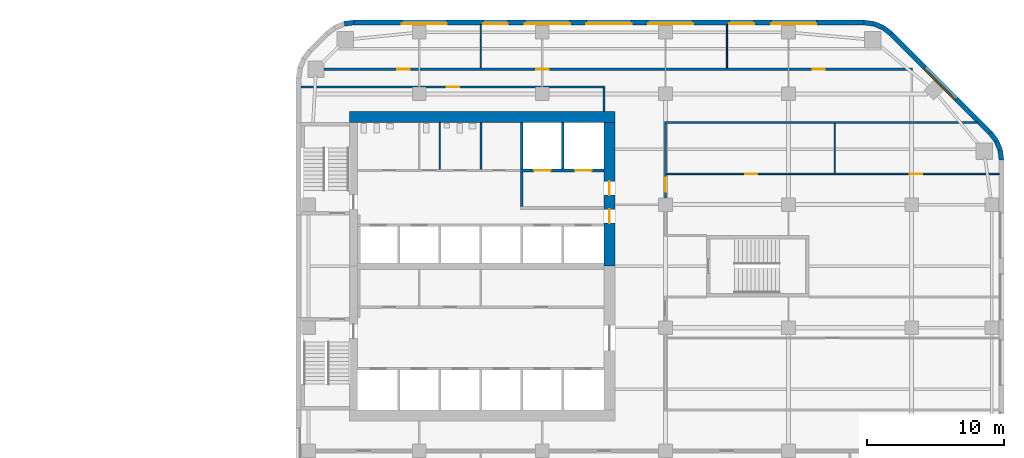
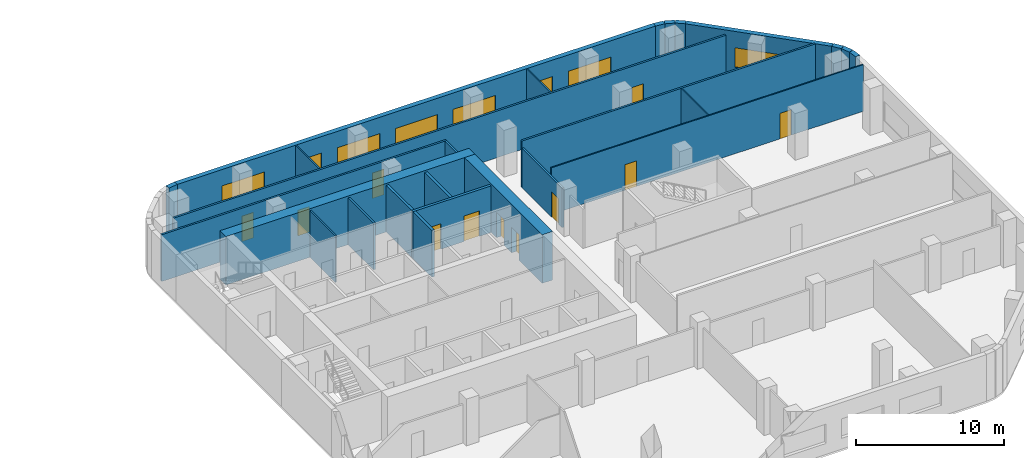
# One storey, part 10 of 14: 26 walls, 11 doors, 8 windows, 19 openings.
"""IFC4 building model written with IfcOpenShell, lengths in metres."""

from ifc_helpers import new_model, si_unit, direction, frame, frame_2d, origin, place, context, subcontext, project, spatial, rectangle, extrude, material, layer, layer_set, type_object, element, fill, save


model = new_model("IFC4")

# Units and contexts
model_context = context("Model", 3, precision=1e-05, world=origin(), true_north=direction((0.0, 1.0)))
body_context = subcontext(model_context, "Body", "Model", "MODEL_VIEW")
ifc_project = project(units=[si_unit("LENGTHUNIT", "METRE"), si_unit("AREAUNIT", "SQUARE_METRE"), si_unit("VOLUMEUNIT", "CUBIC_METRE"), si_unit("PLANEANGLEUNIT", "RADIAN"), si_unit("MASSUNIT", "GRAM", prefix="KILO")], contexts=[model_context])

# Site, building, storey
site_placement = place(None, origin())
site = spatial("IfcSite", under=ifc_project, at=site_placement, CompositionType="ELEMENT")
building_placement = place(site_placement, origin())
building = spatial("IfcBuilding", under=site, at=building_placement, Name="Cinnabar Reach Civic Tower", CompositionType="ELEMENT")
storey_placement = place(building_placement, frame((0.0, 0.0, 108.0)))
storey = spatial("IfcBuildingStorey", under=building, at=storey_placement, Name="L25", CompositionType="ELEMENT", Elevation=108.0)

# Walls
ifc_material_1 = material(Name="Facing brick with insulated backing", Category="masonry")
ifc_layer_1 = layer(ifc_material_1, 0.36)
ifc_layer_set_1 = layer_set([ifc_layer_1], Name="Brick corner wall")
wall_type_1 = type_object("IfcWallType", Name="Brick corner wall", PredefinedType="STANDARD", material=ifc_layer_set_1)
for number, where, z_axis, x_axis, name in (
    (1, (51.567, 39.2686, 0.0), (0.0, 0.0, 1.0), (-0.13055608231, 0.99144092581, 0.0), "Brick corner wall"),
    (2, (51.4681, 39.9973, 0.0), (0.0, 0.0, 1.0), (-0.382702709855, 0.923871547278, 0.0), "Brick corner wall"),
):
    element("IfcWall", number, at=place(storey_placement, frame(where, z_axis=z_axis, x_axis=x_axis)), inside=storey, type_object=wall_type_1, Name=name, PredefinedType="STANDARD", context=body_context, shape_type="SweptSolid", body=[
        extrude(rectangle(XDim=0.7131, YDim=0.36, at=frame_2d((0.3565, 0.0))), origin(), (0.0, 0.0, 1.0), 3.85),
    ])
for number, where, z_axis, x_axis, name in (
    (3, (51.184, 40.6755, 0.0), (0.0, 0.0, 1.0), (-0.608802368033, 0.793321924995, 0.0), "Brick corner wall"),
    (4, (43.4913, 48.4998, 0.0), (0.0, 0.0, 1.0), (-0.793321924995, 0.608802368033, 0.0), "Brick corner wall"),
):
    element("IfcWall", number, at=place(storey_placement, frame(where, z_axis=z_axis, x_axis=x_axis)), inside=storey, type_object=wall_type_1, Name=name, PredefinedType="STANDARD", context=body_context, shape_type="SweptSolid", body=[
        extrude(rectangle(XDim=0.7132, YDim=0.36, at=frame_2d((0.3566, 0.0))), origin(), (0.0, 0.0, 1.0), 3.85),
    ])
for number, where, z_axis, x_axis, name in (
    (5, (42.9061, 48.9452, 0.0), (0.0, 0.0, 1.0), (-0.923871547278, 0.382702709855, 0.0), "Brick corner wall"),
    (6, (42.2256, 49.2239, 0.0), (0.0, 0.0, 1.0), (-0.99144092581, 0.13055608231, 0.0), "Brick corner wall"),
    (7, (4.2314, 49.317, 0.0), (0.0, 0.0, 1.0), (-0.99144092581, -0.13055608231, 0.0), "Brick corner wall"),
):
    element("IfcWall", number, at=place(storey_placement, frame(where, z_axis=z_axis, x_axis=x_axis)), inside=storey, type_object=wall_type_1, Name=name, PredefinedType="STANDARD", context=body_context, shape_type="SweptSolid", body=[
        extrude(rectangle(XDim=0.7131, YDim=0.36, at=frame_2d((0.3565, 0.0))), origin(), (0.0, 0.0, 1.0), 3.85),
    ])

# Wall, opening, window
ifc_layer_2 = layer(ifc_material_1, 0.36)
ifc_layer_set_2 = layer_set([ifc_layer_2], Name="Brick pier and spandrel wall")
wall_type_2 = type_object("IfcWallType", Name="Brick pier and spandrel wall", PredefinedType="STANDARD", material=ifc_layer_set_2)
wall_1_placement = place(storey_placement, frame((50.744, 41.2514, 0.0), z_axis=(0.0, 0.0, 1.0), x_axis=(-0.707106781187, 0.707106781187, 0.0)))
wall_1 = element("IfcWall", 8, at=wall_1_placement, inside=storey, type_object=wall_type_2, Name="Brick facade wall", PredefinedType="STANDARD", context=body_context, shape_type="SweptSolid", body=[
    extrude(rectangle(XDim=10.2426, YDim=0.36, at=frame_2d((5.1213, 0.0))), origin(), (0.0, 0.0, 1.0), 3.85),
])
opening_1_placement = place(wall_1_placement, frame((3.4713, 0.0, 0.9)))
opening_1 = element("IfcOpeningElement", 9, at=opening_1_placement, cuts=wall_1, Name="Opening W1535", PredefinedType="OPENING", context=body_context, shape_type="SweptSolid", body=[
    extrude(rectangle(XDim=3.3, YDim=1.6, at=frame_2d((1.65, 0.8))), frame((0.0, 0.19, 0.0), z_axis=(0.0, -1.0, 0.0), x_axis=(1.0, 0.0, 0.0)), (0.0, 0.0, 1.0), 0.38),
])
ifc_material_2 = material(Name="Clear double glazing in aluminium frame", Category="aluminium")
window_type_1 = type_object("IfcWindowType", Name="Deep-set window A", PartitioningType="SINGLE_PANEL", PredefinedType="WINDOW", material=ifc_material_2)
window_1_placement = place(opening_1_placement, origin())
window_1 = element("IfcWindow", 10, at=window_1_placement, inside=storey, type_object=window_type_1, Name="Window northeast face", OverallHeight=1.6, OverallWidth=3.3, PartitioningType="SINGLE_PANEL", PredefinedType="WINDOW", context=body_context, shape_type="SweptSolid", body=[
    extrude(rectangle(XDim=3.3, YDim=1.6, at=frame_2d((1.65, 0.8))), frame((0.0, 0.13, 0.0), z_axis=(0.0, -1.0, 0.0), x_axis=(1.0, 0.0, 0.0)), (0.0, 0.0, 1.0), 0.06),
])
fill(opening_1, window_1)

# Wall, openings, windows
wall_2_placement = place(storey_placement, frame((41.5074, 49.32, 0.0), z_axis=(0.0, 0.0, 1.0), x_axis=(-1.0, 0.0, 0.0)))
wall_2 = element("IfcWall", 11, at=wall_2_placement, inside=storey, type_object=wall_type_2, Name="Brick facade wall", PredefinedType="STANDARD", context=body_context, shape_type="SweptSolid", body=[
    extrude(rectangle(XDim=37.2648, YDim=0.36, at=frame_2d((18.6324, 0.0))), origin(), (0.0, 0.0, 1.0), 3.85),
])
opening_2_placement = place(wall_2_placement, frame((3.4824, 0.0, 0.9)))
opening_2 = element("IfcOpeningElement", 12, at=opening_2_placement, cuts=wall_2, Name="Opening W1536", PredefinedType="OPENING", context=body_context, shape_type="SweptSolid", body=[
    extrude(rectangle(XDim=3.3, YDim=1.6, at=frame_2d((1.65, 0.8))), frame((0.0, 0.19, 0.0), z_axis=(0.0, -1.0, 0.0), x_axis=(1.0, 0.0, 0.0)), (0.0, 0.0, 1.0), 0.38),
])
opening_3_placement = place(wall_2_placement, frame((8.0324, 0.0, 0.9)))
opening_3 = element("IfcOpeningElement", 13, at=opening_3_placement, cuts=wall_2, Name="Opening W1537", PredefinedType="OPENING", context=body_context, shape_type="SweptSolid", body=[
    extrude(rectangle(XDim=1.8, YDim=1.6, at=frame_2d((0.9, 0.8))), frame((0.0, 0.19, 0.0), z_axis=(0.0, -1.0, 0.0), x_axis=(1.0, 0.0, 0.0)), (0.0, 0.0, 1.0), 0.38),
])
opening_4_placement = place(wall_2_placement, frame((12.4824, 0.0, 0.9)))
opening_4 = element("IfcOpeningElement", 14, at=opening_4_placement, cuts=wall_2, Name="Opening W1538", PredefinedType="OPENING", context=body_context, shape_type="SweptSolid", body=[
    extrude(rectangle(XDim=3.3, YDim=1.6, at=frame_2d((1.65, 0.8))), frame((0.0, 0.19, 0.0), z_axis=(0.0, -1.0, 0.0), x_axis=(1.0, 0.0, 0.0)), (0.0, 0.0, 1.0), 0.38),
])
opening_5_placement = place(wall_2_placement, frame((16.9824, 0.0, 0.9)))
opening_5 = element("IfcOpeningElement", 15, at=opening_5_placement, cuts=wall_2, Name="Opening W1539", PredefinedType="OPENING", context=body_context, shape_type="SweptSolid", body=[
    extrude(rectangle(XDim=3.3, YDim=1.6, at=frame_2d((1.65, 0.8))), frame((0.0, 0.19, 0.0), z_axis=(0.0, -1.0, 0.0), x_axis=(1.0, 0.0, 0.0)), (0.0, 0.0, 1.0), 0.38),
])
opening_6_placement = place(wall_2_placement, frame((21.4824, 0.0, 0.9)))
opening_6 = element("IfcOpeningElement", 16, at=opening_6_placement, cuts=wall_2, Name="Opening W1540", PredefinedType="OPENING", context=body_context, shape_type="SweptSolid", body=[
    extrude(rectangle(XDim=3.3, YDim=1.6, at=frame_2d((1.65, 0.8))), frame((0.0, 0.19, 0.0), z_axis=(0.0, -1.0, 0.0), x_axis=(1.0, 0.0, 0.0)), (0.0, 0.0, 1.0), 0.38),
])
opening_7_placement = place(wall_2_placement, frame((26.0324, 0.0, 0.9)))
opening_7 = element("IfcOpeningElement", 17, at=opening_7_placement, cuts=wall_2, Name="Opening W1541", PredefinedType="OPENING", context=body_context, shape_type="SweptSolid", body=[
    extrude(rectangle(XDim=1.8, YDim=1.6, at=frame_2d((0.9, 0.8))), frame((0.0, 0.19, 0.0), z_axis=(0.0, -1.0, 0.0), x_axis=(1.0, 0.0, 0.0)), (0.0, 0.0, 1.0), 0.38),
])
opening_8_placement = place(wall_2_placement, frame((30.4824, 0.0, 0.9)))
opening_8 = element("IfcOpeningElement", 18, at=opening_8_placement, cuts=wall_2, Name="Opening W1542", PredefinedType="OPENING", context=body_context, shape_type="SweptSolid", body=[
    extrude(rectangle(XDim=3.3, YDim=1.6, at=frame_2d((1.65, 0.8))), frame((0.0, 0.19, 0.0), z_axis=(0.0, -1.0, 0.0), x_axis=(1.0, 0.0, 0.0)), (0.0, 0.0, 1.0), 0.38),
])
window_2_placement = place(opening_2_placement, origin())
window_2 = element("IfcWindow", 19, at=window_2_placement, inside=storey, type_object=window_type_1, Name="Window north face", OverallHeight=1.6, OverallWidth=3.3, PartitioningType="SINGLE_PANEL", PredefinedType="WINDOW", context=body_context, shape_type="SweptSolid", body=[
    extrude(rectangle(XDim=3.3, YDim=1.6, at=frame_2d((1.65, 0.8))), frame((0.0, 0.13, 0.0), z_axis=(0.0, -1.0, 0.0), x_axis=(1.0, 0.0, 0.0)), (0.0, 0.0, 1.0), 0.06),
])
fill(opening_2, window_2)
window_3_placement = place(opening_4_placement, origin())
window_3 = element("IfcWindow", 20, at=window_3_placement, inside=storey, type_object=window_type_1, Name="Window north face", OverallHeight=1.6, OverallWidth=3.3, PartitioningType="SINGLE_PANEL", PredefinedType="WINDOW", context=body_context, shape_type="SweptSolid", body=[
    extrude(rectangle(XDim=3.3, YDim=1.6, at=frame_2d((1.65, 0.8))), frame((0.0, 0.13, 0.0), z_axis=(0.0, -1.0, 0.0), x_axis=(1.0, 0.0, 0.0)), (0.0, 0.0, 1.0), 0.06),
])
fill(opening_4, window_3)
window_4_placement = place(opening_5_placement, origin())
window_4 = element("IfcWindow", 21, at=window_4_placement, inside=storey, type_object=window_type_1, Name="Window north face", OverallHeight=1.6, OverallWidth=3.3, PartitioningType="SINGLE_PANEL", PredefinedType="WINDOW", context=body_context, shape_type="SweptSolid", body=[
    extrude(rectangle(XDim=3.3, YDim=1.6, at=frame_2d((1.65, 0.8))), frame((0.0, 0.13, 0.0), z_axis=(0.0, -1.0, 0.0), x_axis=(1.0, 0.0, 0.0)), (0.0, 0.0, 1.0), 0.06),
])
fill(opening_5, window_4)
window_5_placement = place(opening_6_placement, origin())
window_5 = element("IfcWindow", 22, at=window_5_placement, inside=storey, type_object=window_type_1, Name="Window north face", OverallHeight=1.6, OverallWidth=3.3, PartitioningType="SINGLE_PANEL", PredefinedType="WINDOW", context=body_context, shape_type="SweptSolid", body=[
    extrude(rectangle(XDim=3.3, YDim=1.6, at=frame_2d((1.65, 0.8))), frame((0.0, 0.13, 0.0), z_axis=(0.0, -1.0, 0.0), x_axis=(1.0, 0.0, 0.0)), (0.0, 0.0, 1.0), 0.06),
])
fill(opening_6, window_5)
window_6_placement = place(opening_8_placement, origin())
window_6 = element("IfcWindow", 23, at=window_6_placement, inside=storey, type_object=window_type_1, Name="Window north face", OverallHeight=1.6, OverallWidth=3.3, PartitioningType="SINGLE_PANEL", PredefinedType="WINDOW", context=body_context, shape_type="SweptSolid", body=[
    extrude(rectangle(XDim=3.3, YDim=1.6, at=frame_2d((1.65, 0.8))), frame((0.0, 0.13, 0.0), z_axis=(0.0, -1.0, 0.0), x_axis=(1.0, 0.0, 0.0)), (0.0, 0.0, 1.0), 0.06),
])
fill(opening_8, window_6)
window_type_2 = type_object("IfcWindowType", Name="Deep-set window D", PartitioningType="SINGLE_PANEL", PredefinedType="WINDOW", material=ifc_material_2)
window_7_placement = place(opening_3_placement, origin())
window_7 = element("IfcWindow", 24, at=window_7_placement, inside=storey, type_object=window_type_2, Name="Window north face", OverallHeight=1.6, OverallWidth=1.8, PartitioningType="SINGLE_PANEL", PredefinedType="WINDOW", context=body_context, shape_type="SweptSolid", body=[
    extrude(rectangle(XDim=1.8, YDim=1.6, at=frame_2d((0.9, 0.8))), frame((0.0, 0.13, 0.0), z_axis=(0.0, -1.0, 0.0), x_axis=(1.0, 0.0, 0.0)), (0.0, 0.0, 1.0), 0.06),
])
fill(opening_3, window_7)
window_8_placement = place(opening_7_placement, origin())
window_8 = element("IfcWindow", 25, at=window_8_placement, inside=storey, type_object=window_type_2, Name="Window north face", OverallHeight=1.6, OverallWidth=1.8, PartitioningType="SINGLE_PANEL", PredefinedType="WINDOW", context=body_context, shape_type="SweptSolid", body=[
    extrude(rectangle(XDim=1.8, YDim=1.6, at=frame_2d((0.9, 0.8))), frame((0.0, 0.13, 0.0), z_axis=(0.0, -1.0, 0.0), x_axis=(1.0, 0.0, 0.0)), (0.0, 0.0, 1.0), 0.06),
])
fill(opening_7, window_8)

# Wall
ifc_material_3 = material(Name="Concrete C70", Category="concrete")
ifc_layer_3 = layer(ifc_material_3, 0.8)
ifc_layer_set_3 = layer_set([ifc_layer_3], Name="Core wall 800 EI 180")
wall_type_3 = type_object("IfcWallType", Name="Core wall 800 EI 180", PredefinedType="SOLIDWALL", material=ifc_layer_set_3)
wall_3_placement = place(storey_placement, frame((23.3, 42.4, 0.0), z_axis=(0.0, 0.0, 1.0), x_axis=(-1.0, 0.0, 0.0)))
element("IfcWall", 26, at=wall_3_placement, inside=storey, type_object=wall_type_3, Name="Core wall T1 L25 N", PredefinedType="SOLIDWALL", context=body_context, shape_type="SweptSolid", body=[
    extrude(rectangle(XDim=19.4, YDim=0.8, at=frame_2d((9.7, 0.0))), origin(), (0.0, 0.0, 1.0), 4.0),
])

# Wall, openings, doors
wall_4_placement = place(storey_placement, frame((22.9, 31.5, 0.0), z_axis=(0.0, 0.0, 1.0), x_axis=(0.0, 1.0, 0.0)))
wall_4 = element("IfcWall", 27, at=wall_4_placement, inside=storey, type_object=wall_type_3, Name="Core wall T1 L25 E2", PredefinedType="SOLIDWALL", context=body_context, shape_type="SweptSolid", body=[
    extrude(rectangle(XDim=10.5, YDim=0.8, at=frame_2d((5.25, 0.0))), origin(), (0.0, 0.0, 1.0), 4.0),
])
opening_9_placement = place(wall_4_placement, frame((3.15, 0.0, 0.0)))
opening_9 = element("IfcOpeningElement", 28, at=opening_9_placement, cuts=wall_4, Name="Opening D4022", PredefinedType="OPENING", context=body_context, shape_type="SweptSolid", body=[
    extrude(rectangle(XDim=1.0, YDim=2.1, at=frame_2d((0.5, 1.05))), frame((0.0, 0.41, 0.0), z_axis=(0.0, -1.0, 0.0), x_axis=(1.0, 0.0, 0.0)), (0.0, 0.0, 1.0), 0.82),
])
opening_10_placement = place(wall_4_placement, frame((5.2, 0.0, 0.0)))
opening_10 = element("IfcOpeningElement", 29, at=opening_10_placement, cuts=wall_4, Name="Opening D4023", PredefinedType="OPENING", context=body_context, shape_type="SweptSolid", body=[
    extrude(rectangle(XDim=1.0, YDim=2.1, at=frame_2d((0.5, 1.05))), frame((0.0, 0.41, 0.0), z_axis=(0.0, -1.0, 0.0), x_axis=(1.0, 0.0, 0.0)), (0.0, 0.0, 1.0), 0.82),
])
ifc_material_4 = material(Name="Timber door leaf in steel frame", Category="steel")
door_type_1 = type_object("IfcDoorType", Name="Firefighting lobby door 1000 x 2100 T1", OperationType="SINGLE_SWING_LEFT", PredefinedType="DOOR", material=ifc_material_4)
door_1_placement = place(opening_10_placement, origin())
door_1 = element("IfcDoor", 30, at=door_1_placement, inside=storey, type_object=door_type_1, Name="Door D4023", OperationType="SINGLE_SWING_RIGHT", OverallHeight=2.1, OverallWidth=1.0, PredefinedType="DOOR", context=body_context, shape_type="SweptSolid", body=[
    extrude(rectangle(XDim=1.0, YDim=2.1, at=frame_2d((0.5, 1.05))), frame((0.0, 0.025, 0.0), z_axis=(0.0, -1.0, 0.0), x_axis=(1.0, 0.0, 0.0)), (0.0, 0.0, 1.0), 0.05),
])
fill(opening_10, door_1)
door_type_2 = type_object("IfcDoorType", Name="Single swing door 1000 x 2100 T1", OperationType="SINGLE_SWING_LEFT", PredefinedType="DOOR", material=ifc_material_4)
door_2_placement = place(opening_9_placement, origin())
door_2 = element("IfcDoor", 31, at=door_2_placement, inside=storey, type_object=door_type_2, Name="Door D4022", OperationType="SINGLE_SWING_RIGHT", OverallHeight=2.1, OverallWidth=1.0, PredefinedType="DOOR", context=body_context, shape_type="SweptSolid", body=[
    extrude(rectangle(XDim=1.0, YDim=2.1, at=frame_2d((0.5, 1.05))), frame((0.0, 0.025, 0.0), z_axis=(0.0, -1.0, 0.0), x_axis=(1.0, 0.0, 0.0)), (0.0, 0.0, 1.0), 0.05),
])
fill(opening_9, door_2)

ifc_material_5 = material(Name="Gypsum board on steel studs, double layer", Category="steel")
ifc_layer_4 = layer(ifc_material_5, 0.15)
ifc_layer_set_4 = layer_set([ifc_layer_4], Name="Corridor wall 150 T1")
wall_type_4 = type_object("IfcWallType", Name="Corridor wall 150 T1", PredefinedType="PARTITIONING", material=ifc_layer_set_4)
wall_5_placement = place(storey_placement, frame((2.0531, 45.9, 0.0), z_axis=(0.0, 0.0, 1.0), x_axis=(1.0, 0.0, 0.0)))
wall_5 = element("IfcWall", 32, at=wall_5_placement, inside=storey, type_object=wall_type_4, Name="Corridor wall 25", PredefinedType="PARTITIONING", context=body_context, shape_type="SweptSolid", body=[
    extrude(rectangle(XDim=43.0218, YDim=0.15, at=frame_2d((21.5109, 0.0))), origin(), (0.0, 0.0, 1.0), 3.85),
])
opening_11_placement = place(wall_5_placement, frame((5.35, 0.0, 0.0)))
opening_11 = element("IfcOpeningElement", 33, at=opening_11_placement, cuts=wall_5, Name="Opening D4042", PredefinedType="OPENING", context=body_context, shape_type="SweptSolid", body=[
    extrude(rectangle(XDim=0.9, YDim=2.1, at=frame_2d((0.45, 1.05))), frame((0.0, 0.085, 0.0), z_axis=(0.0, -1.0, 0.0), x_axis=(1.0, 0.0, 0.0)), (0.0, 0.0, 1.0), 0.17),
])
opening_12_placement = place(wall_5_placement, frame((15.4969, 0.0, 0.0)))
opening_12 = element("IfcOpeningElement", 34, at=opening_12_placement, cuts=wall_5, Name="Opening D4043", PredefinedType="OPENING", context=body_context, shape_type="SweptSolid", body=[
    extrude(rectangle(XDim=0.9, YDim=2.1, at=frame_2d((0.45, 1.05))), frame((0.0, 0.085, 0.0), z_axis=(0.0, -1.0, 0.0), x_axis=(1.0, 0.0, 0.0)), (0.0, 0.0, 1.0), 0.17),
])
opening_13_placement = place(wall_5_placement, frame((35.6969, 0.0, 0.0)))
opening_13 = element("IfcOpeningElement", 35, at=opening_13_placement, cuts=wall_5, Name="Opening D4044", PredefinedType="OPENING", context=body_context, shape_type="SweptSolid", body=[
    extrude(rectangle(XDim=0.9, YDim=2.1, at=frame_2d((0.45, 1.05))), frame((0.0, 0.085, 0.0), z_axis=(0.0, -1.0, 0.0), x_axis=(1.0, 0.0, 0.0)), (0.0, 0.0, 1.0), 0.17),
])
door_type_3 = type_object("IfcDoorType", Name="Single swing door 900 x 2100 corridor T1", OperationType="SINGLE_SWING_LEFT", PredefinedType="DOOR", material=ifc_material_4)
door_3_placement = place(opening_11_placement, origin())
door_3 = element("IfcDoor", 36, at=door_3_placement, inside=storey, type_object=door_type_3, Name="Door D4042", OperationType="SINGLE_SWING_RIGHT", OverallHeight=2.1, OverallWidth=0.9, PredefinedType="DOOR", context=body_context, shape_type="SweptSolid", body=[
    extrude(rectangle(XDim=0.9, YDim=2.1, at=frame_2d((0.45, 1.05))), frame((0.0, 0.025, 0.0), z_axis=(0.0, -1.0, 0.0), x_axis=(1.0, 0.0, 0.0)), (0.0, 0.0, 1.0), 0.05),
])
fill(opening_11, door_3)
door_4_placement = place(opening_12_placement, origin())
door_4 = element("IfcDoor", 37, at=door_4_placement, inside=storey, type_object=door_type_3, Name="Door D4043", OperationType="SINGLE_SWING_LEFT", OverallHeight=2.1, OverallWidth=0.9, PredefinedType="DOOR", context=body_context, shape_type="SweptSolid", body=[
    extrude(rectangle(XDim=0.9, YDim=2.1, at=frame_2d((0.45, 1.05))), frame((0.0, 0.025, 0.0), z_axis=(0.0, -1.0, 0.0), x_axis=(1.0, 0.0, 0.0)), (0.0, 0.0, 1.0), 0.05),
])
fill(opening_12, door_4)
door_5_placement = place(opening_13_placement, origin())
door_5 = element("IfcDoor", 38, at=door_5_placement, inside=storey, type_object=door_type_3, Name="Door D4044", OperationType="SINGLE_SWING_RIGHT", OverallHeight=2.1, OverallWidth=0.9, PredefinedType="DOOR", context=body_context, shape_type="SweptSolid", body=[
    extrude(rectangle(XDim=0.9, YDim=2.1, at=frame_2d((0.45, 1.05))), frame((0.0, 0.025, 0.0), z_axis=(0.0, -1.0, 0.0), x_axis=(1.0, 0.0, 0.0)), (0.0, 0.0, 1.0), 0.05),
])
fill(opening_13, door_5)

# Wall
wall_6_placement = place(storey_placement, frame((26.925, 42.0, 0.0), z_axis=(0.0, 0.0, 1.0), x_axis=(1.0, 0.0, 0.0)))
element("IfcWall", 39, at=wall_6_placement, inside=storey, type_object=wall_type_4, Name="Corridor wall 27", PredefinedType="PARTITIONING", context=body_context, shape_type="SweptSolid", body=[
    extrude(rectangle(XDim=22.8909, YDim=0.15, at=frame_2d((11.4454, 0.0))), origin(), (0.0, 0.0, 1.0), 3.85),
])

# Wall, opening, door
wall_7_placement = place(storey_placement, frame((0.36, 44.6, 0.0), z_axis=(0.0, 0.0, 1.0), x_axis=(1.0, 0.0, 0.0)))
wall_7 = element("IfcWall", 40, at=wall_7_placement, inside=storey, type_object=wall_type_4, Name="Corridor wall 28", PredefinedType="PARTITIONING", context=body_context, shape_type="SweptSolid", body=[
    extrude(rectangle(XDim=22.215, YDim=0.15, at=frame_2d((11.1075, 0.0))), origin(), (0.0, 0.0, 1.0), 3.85),
])
opening_14_placement = place(wall_7_placement, frame((10.65, 0.0, 0.0)))
opening_14 = element("IfcOpeningElement", 41, at=opening_14_placement, cuts=wall_7, Name="Opening D5786", PredefinedType="OPENING", context=body_context, shape_type="SweptSolid", body=[
    extrude(rectangle(XDim=0.9, YDim=2.1, at=frame_2d((0.45, 1.05))), frame((0.0, 0.085, 0.0), z_axis=(0.0, -1.0, 0.0), x_axis=(1.0, 0.0, 0.0)), (0.0, 0.0, 1.0), 0.17),
])
door_6_placement = place(opening_14_placement, frame((0.9, 0.0, 0.0), z_axis=(0.0, 0.0, 1.0), x_axis=(-1.0, 0.0, 0.0)))
door_6 = element("IfcDoor", 42, at=door_6_placement, inside=storey, type_object=door_type_3, Name="Door D5786", OperationType="SINGLE_SWING_RIGHT", OverallHeight=2.1, OverallWidth=0.9, PredefinedType="DOOR", context=body_context, shape_type="SweptSolid", body=[
    extrude(rectangle(XDim=0.9, YDim=2.1, at=frame_2d((0.45, 1.05))), frame((0.0, 0.025, 0.0), z_axis=(0.0, -1.0, 0.0), x_axis=(1.0, 0.0, 0.0)), (0.0, 0.0, 1.0), 0.05),
])
fill(opening_14, door_6)

wall_8_placement = place(storey_placement, frame((27.0, 36.5, 0.0), z_axis=(0.0, 0.0, 1.0), x_axis=(0.0, 1.0, 0.0)))
wall_8 = element("IfcWall", 43, at=wall_8_placement, inside=storey, type_object=wall_type_4, Name="Corridor wall 34", PredefinedType="PARTITIONING", context=body_context, shape_type="SweptSolid", body=[
    extrude(rectangle(XDim=5.425, YDim=0.15, at=frame_2d((2.7125, 0.0))), origin(), (0.0, 0.0, 1.0), 3.256),
])
opening_15_placement = place(wall_8_placement, frame((0.45, 0.0, 0.0)))
opening_15 = element("IfcOpeningElement", 44, at=opening_15_placement, cuts=wall_8, Name="Opening D4032", PredefinedType="OPENING", context=body_context, shape_type="SweptSolid", body=[
    extrude(rectangle(XDim=1.0, YDim=2.1, at=frame_2d((0.5, 1.05))), frame((0.0, 0.085, 0.0), z_axis=(0.0, -1.0, 0.0), x_axis=(1.0, 0.0, 0.0)), (0.0, 0.0, 1.0), 0.17),
])
door_type_4 = type_object("IfcDoorType", Name="Tenancy entrance door 1000 x 2100 T1", OperationType="SINGLE_SWING_LEFT", PredefinedType="DOOR", material=ifc_material_4)
door_7_placement = place(opening_15_placement, frame((1.0, 0.0, 0.0), z_axis=(0.0, 0.0, 1.0), x_axis=(-1.0, 0.0, 0.0)))
door_7 = element("IfcDoor", 45, at=door_7_placement, inside=storey, type_object=door_type_4, Name="Door D4032", OperationType="SINGLE_SWING_LEFT", OverallHeight=2.1, OverallWidth=1.0, PredefinedType="DOOR", context=body_context, shape_type="SweptSolid", body=[
    extrude(rectangle(XDim=1.0, YDim=2.1, at=frame_2d((0.5, 1.05))), frame((0.0, 0.025, 0.0), z_axis=(0.0, -1.0, 0.0), x_axis=(1.0, 0.0, 0.0)), (0.0, 0.0, 1.0), 0.05),
])
fill(opening_15, door_7)

# Walls
wall_9_placement = place(storey_placement, frame((22.5, 42.8, 0.0), z_axis=(0.0, 0.0, 1.0), x_axis=(0.0, 1.0, 0.0)))
element("IfcWall", 46, at=wall_9_placement, inside=storey, type_object=wall_type_4, Name="Corridor wall 39", PredefinedType="PARTITIONING", context=body_context, shape_type="SweptSolid", body=[
    extrude(rectangle(XDim=1.725, YDim=0.15, at=frame_2d((0.8625, 0.0))), origin(), (0.0, 0.0, 1.0), 3.85),
])
ifc_material_6 = material(Name="Blockwork", Category="masonry")
ifc_layer_5 = layer(ifc_material_6, 0.2)
ifc_layer_set_5 = layer_set([ifc_layer_5], Name="Lift shaft wall 200 T1")
wall_type_5 = type_object("IfcWallType", Name="Lift shaft wall 200 T1", PredefinedType="PARTITIONING", material=ifc_layer_set_5)
for number, where, z_axis, x_axis, name in (
    (47, (16.5, 38.6, 0.0), (0.0, 0.0, 1.0), (0.0, 1.0, 0.0), "Lift shaft wall 6"),
    (48, (19.5, 38.6, 0.0), (0.0, 0.0, 1.0), (0.0, 1.0, 0.0), "Lift shaft wall 7"),
):
    element("IfcWall", number, at=place(storey_placement, frame(where, z_axis=z_axis, x_axis=x_axis)), inside=storey, type_object=wall_type_5, Name=name, PredefinedType="PARTITIONING", context=body_context, shape_type="SweptSolid", body=[
        extrude(rectangle(XDim=3.4, YDim=0.2, at=frame_2d((1.7, 0.0))), origin(), (0.0, 0.0, 1.0), 3.85),
    ])

# Wall, openings, doors
ifc_material_7 = material(Name="Gypsum board on steel studs", Category="steel")
ifc_layer_6 = layer(ifc_material_7, 0.1)
ifc_layer_set_6 = layer_set([ifc_layer_6], Name="Partition wall 100 T1")
wall_type_6 = type_object("IfcWallType", Name="Partition wall 100 T1", PredefinedType="PARTITIONING", material=ifc_layer_set_6)
wall_10_placement = place(storey_placement, frame((27.075, 38.25, 0.0), z_axis=(0.0, 0.0, 1.0), x_axis=(1.0, 0.0, 0.0)))
wall_10 = element("IfcWall", 49, at=wall_10_placement, inside=storey, type_object=wall_type_6, Name="Partition wall 44", PredefinedType="PARTITIONING", context=body_context, shape_type="SweptSolid", body=[
    extrude(rectangle(XDim=24.315, YDim=0.1, at=frame_2d((12.1575, 0.0))), origin(), (0.0, 0.0, 1.0), 3.85),
])
opening_16_placement = place(wall_10_placement, frame((5.75, 0.0, 0.0)))
opening_16 = element("IfcOpeningElement", 50, at=opening_16_placement, cuts=wall_10, Name="Opening D4033", PredefinedType="OPENING", context=body_context, shape_type="SweptSolid", body=[
    extrude(rectangle(XDim=0.9, YDim=2.1, at=frame_2d((0.45, 1.05))), frame((0.0, 0.06, 0.0), z_axis=(0.0, -1.0, 0.0), x_axis=(1.0, 0.0, 0.0)), (0.0, 0.0, 1.0), 0.12),
])
opening_17_placement = place(wall_10_placement, frame((17.8, 0.0, 0.0)))
opening_17 = element("IfcOpeningElement", 51, at=opening_17_placement, cuts=wall_10, Name="Opening D4034", PredefinedType="OPENING", context=body_context, shape_type="SweptSolid", body=[
    extrude(rectangle(XDim=0.9, YDim=2.1, at=frame_2d((0.45, 1.05))), frame((0.0, 0.06, 0.0), z_axis=(0.0, -1.0, 0.0), x_axis=(1.0, 0.0, 0.0)), (0.0, 0.0, 1.0), 0.12),
])
door_type_5 = type_object("IfcDoorType", Name="Single swing door 900 x 2100 T1", OperationType="SINGLE_SWING_LEFT", PredefinedType="DOOR", material=ifc_material_4)
door_8_placement = place(opening_16_placement, origin())
door_8 = element("IfcDoor", 52, at=door_8_placement, inside=storey, type_object=door_type_5, Name="Door D4033", OperationType="SINGLE_SWING_LEFT", OverallHeight=2.1, OverallWidth=0.9, PredefinedType="DOOR", context=body_context, shape_type="SweptSolid", body=[
    extrude(rectangle(XDim=0.9, YDim=2.1, at=frame_2d((0.45, 1.05))), frame((0.0, 0.025, 0.0), z_axis=(0.0, -1.0, 0.0), x_axis=(1.0, 0.0, 0.0)), (0.0, 0.0, 1.0), 0.05),
])
fill(opening_16, door_8)
door_9_placement = place(opening_17_placement, origin())
door_9 = element("IfcDoor", 53, at=door_9_placement, inside=storey, type_object=door_type_5, Name="Door D4034", OperationType="SINGLE_SWING_LEFT", OverallHeight=2.1, OverallWidth=0.9, PredefinedType="DOOR", context=body_context, shape_type="SweptSolid", body=[
    extrude(rectangle(XDim=0.9, YDim=2.1, at=frame_2d((0.45, 1.05))), frame((0.0, 0.025, 0.0), z_axis=(0.0, -1.0, 0.0), x_axis=(1.0, 0.0, 0.0)), (0.0, 0.0, 1.0), 0.05),
])
fill(opening_17, door_9)

# Walls
wall_11_placement = place(storey_placement, frame((39.375, 38.3, 0.0), z_axis=(0.0, 0.0, 1.0), x_axis=(0.0, 1.0, 0.0)))
element("IfcWall", 54, at=wall_11_placement, inside=storey, type_object=wall_type_6, Name="Partition wall 51", PredefinedType="PARTITIONING", context=body_context, shape_type="SweptSolid", body=[
    extrude(rectangle(XDim=3.625, YDim=0.1, at=frame_2d((1.8125, 0.0))), origin(), (0.0, 0.0, 1.0), 3.85),
])
wall_12_placement = place(storey_placement, frame((10.5, 38.575, 0.0), z_axis=(0.0, 0.0, 1.0), x_axis=(0.0, 1.0, 0.0)))
element("IfcWall", 55, at=wall_12_placement, inside=storey, type_object=wall_type_6, Name="Partition wall 53", PredefinedType="PARTITIONING", context=body_context, shape_type="SweptSolid", body=[
    extrude(rectangle(XDim=3.425, YDim=0.1, at=frame_2d((1.7125, 0.0))), origin(), (0.0, 0.0, 1.0), 3.85),
])
for number, where, z_axis, x_axis, name in (
    (56, (13.5, 45.975, 0.0), (0.0, 0.0, 1.0), (0.0, 1.0, 0.0), "Partition wall 54"),
    (57, (31.5, 45.975, 0.0), (0.0, 0.0, 1.0), (0.0, 1.0, 0.0), "Partition wall 55"),
):
    element("IfcWall", number, at=place(storey_placement, frame(where, z_axis=z_axis, x_axis=x_axis)), inside=storey, type_object=wall_type_6, Name=name, PredefinedType="PARTITIONING", context=body_context, shape_type="SweptSolid", body=[
        extrude(rectangle(XDim=3.165, YDim=0.1, at=frame_2d((1.5825, 0.0))), origin(), (0.0, 0.0, 1.0), 3.85),
    ])

# Wall, openings, doors
ifc_material_8 = material(Name="Concrete C40", Category="concrete")
ifc_layer_7 = layer(ifc_material_8, 0.2)
ifc_layer_set_7 = layer_set([ifc_layer_7], Name="Refuge compartment wall 200 T1")
wall_type_7 = type_object("IfcWallType", Name="Refuge compartment wall 200 T1", PredefinedType="PARTITIONING", material=ifc_layer_set_7)
wall_13_placement = place(storey_placement, frame((16.4, 38.5, 0.0), z_axis=(0.0, 0.0, 1.0), x_axis=(1.0, 0.0, 0.0)))
wall_13 = element("IfcWall", 58, at=wall_13_placement, inside=storey, type_object=wall_type_7, Name="Refuge compartment wall 2", PredefinedType="PARTITIONING", context=body_context, shape_type="SweptSolid", body=[
    extrude(rectangle(XDim=6.1, YDim=0.2, at=frame_2d((3.05, 0.0))), origin(), (0.0, 0.0, 1.0), 3.85),
])
opening_18_placement = place(wall_13_placement, frame((1.0, 0.0, 0.0)))
opening_18 = element("IfcOpeningElement", 59, at=opening_18_placement, cuts=wall_13, Name="Opening D4019", PredefinedType="OPENING", context=body_context, shape_type="SweptSolid", body=[
    extrude(rectangle(XDim=1.2, YDim=2.1, at=frame_2d((0.6, 1.05))), frame((0.0, 0.11, 0.0), z_axis=(0.0, -1.0, 0.0), x_axis=(1.0, 0.0, 0.0)), (0.0, 0.0, 1.0), 0.22),
])
opening_19_placement = place(wall_13_placement, frame((4.0, 0.0, 0.0)))
opening_19 = element("IfcOpeningElement", 60, at=opening_19_placement, cuts=wall_13, Name="Opening D4020", PredefinedType="OPENING", context=body_context, shape_type="SweptSolid", body=[
    extrude(rectangle(XDim=1.2, YDim=2.1, at=frame_2d((0.6, 1.05))), frame((0.0, 0.11, 0.0), z_axis=(0.0, -1.0, 0.0), x_axis=(1.0, 0.0, 0.0)), (0.0, 0.0, 1.0), 0.22),
])
ifc_material_9 = material(Name="Stainless steel sliding door", Category="steel")
door_type_6 = type_object("IfcDoorType", Name="Firefighting lift landing door 1200 x 2100 T1", OperationType="SLIDING_TO_LEFT", PredefinedType="DOOR", material=ifc_material_9)
door_10_placement = place(opening_18_placement, origin())
door_10 = element("IfcDoor", 61, at=door_10_placement, inside=storey, type_object=door_type_6, Name="Lift landing door FF1 L25", OperationType="SLIDING_TO_LEFT", OverallHeight=2.1, OverallWidth=1.2, PredefinedType="DOOR", context=body_context, shape_type="SweptSolid", body=[
    extrude(rectangle(XDim=1.2, YDim=2.1, at=frame_2d((0.6, 1.05))), frame((0.0, 0.025, 0.0), z_axis=(0.0, -1.0, 0.0), x_axis=(1.0, 0.0, 0.0)), (0.0, 0.0, 1.0), 0.05),
])
fill(opening_18, door_10)
door_11_placement = place(opening_19_placement, origin())
door_11 = element("IfcDoor", 62, at=door_11_placement, inside=storey, type_object=door_type_6, Name="Lift landing door FF2 L25", OperationType="SLIDING_TO_LEFT", OverallHeight=2.1, OverallWidth=1.2, PredefinedType="DOOR", context=body_context, shape_type="SweptSolid", body=[
    extrude(rectangle(XDim=1.2, YDim=2.1, at=frame_2d((0.6, 1.05))), frame((0.0, 0.025, 0.0), z_axis=(0.0, -1.0, 0.0), x_axis=(1.0, 0.0, 0.0)), (0.0, 0.0, 1.0), 0.05),
])
fill(opening_19, door_11)

# Walls
wall_14_placement = place(storey_placement, frame((16.5, 35.85, 0.0), z_axis=(0.0, 0.0, 1.0), x_axis=(0.0, 1.0, 0.0)))
element("IfcWall", 63, at=wall_14_placement, inside=storey, type_object=wall_type_7, Name="Refuge compartment wall 3", PredefinedType="PARTITIONING", context=body_context, shape_type="SweptSolid", body=[
    extrude(rectangle(XDim=2.55, YDim=0.2, at=frame_2d((1.275, 0.0))), origin(), (0.0, 0.0, 1.0), 3.85),
])
ifc_layer_8 = layer(ifc_material_6, 0.15)
ifc_layer_set_8 = layer_set([ifc_layer_8], Name="Riser wall 150 T1")
wall_type_8 = type_object("IfcWallType", Name="Riser wall 150 T1", PredefinedType="PARTITIONING", material=ifc_layer_set_8)
wall_15_placement = place(storey_placement, frame((13.5, 38.575, 0.0), z_axis=(0.0, 0.0, 1.0), x_axis=(0.0, 1.0, 0.0)))
element("IfcWall", 64, at=wall_15_placement, inside=storey, type_object=wall_type_8, Name="Riser wall 41", PredefinedType="PARTITIONING", context=body_context, shape_type="SweptSolid", body=[
    extrude(rectangle(XDim=3.425, YDim=0.15, at=frame_2d((1.7125, 0.0))), origin(), (0.0, 0.0, 1.0), 3.85),
])

save(model, "model.ifc")
